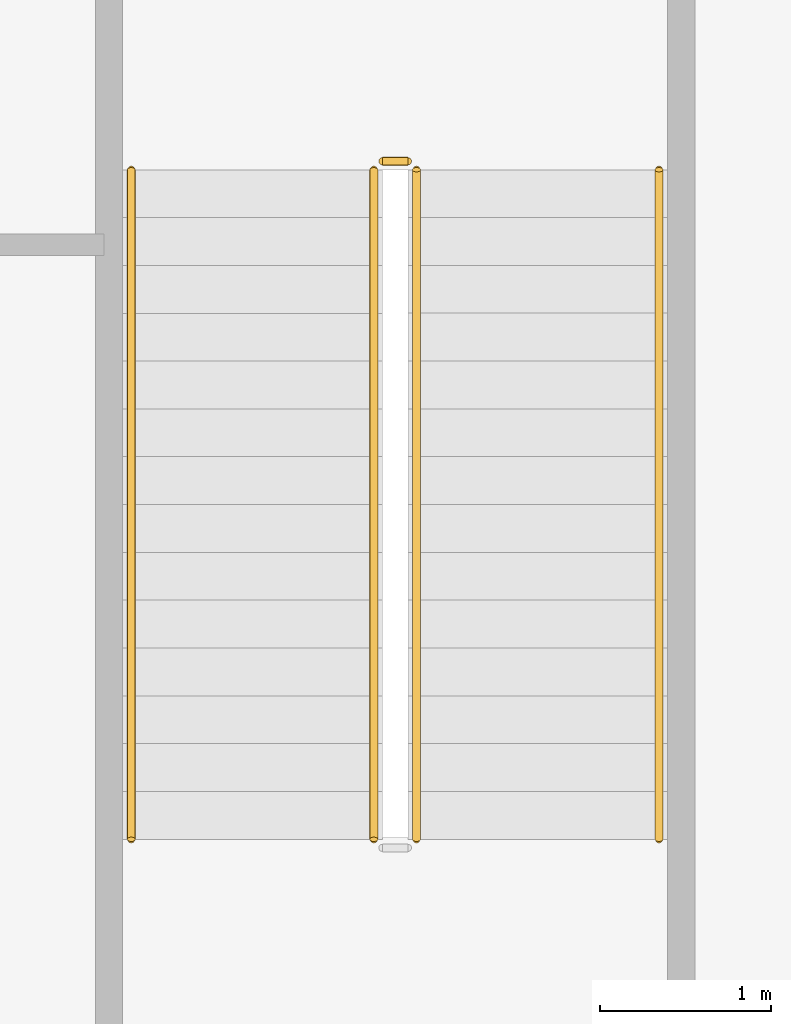
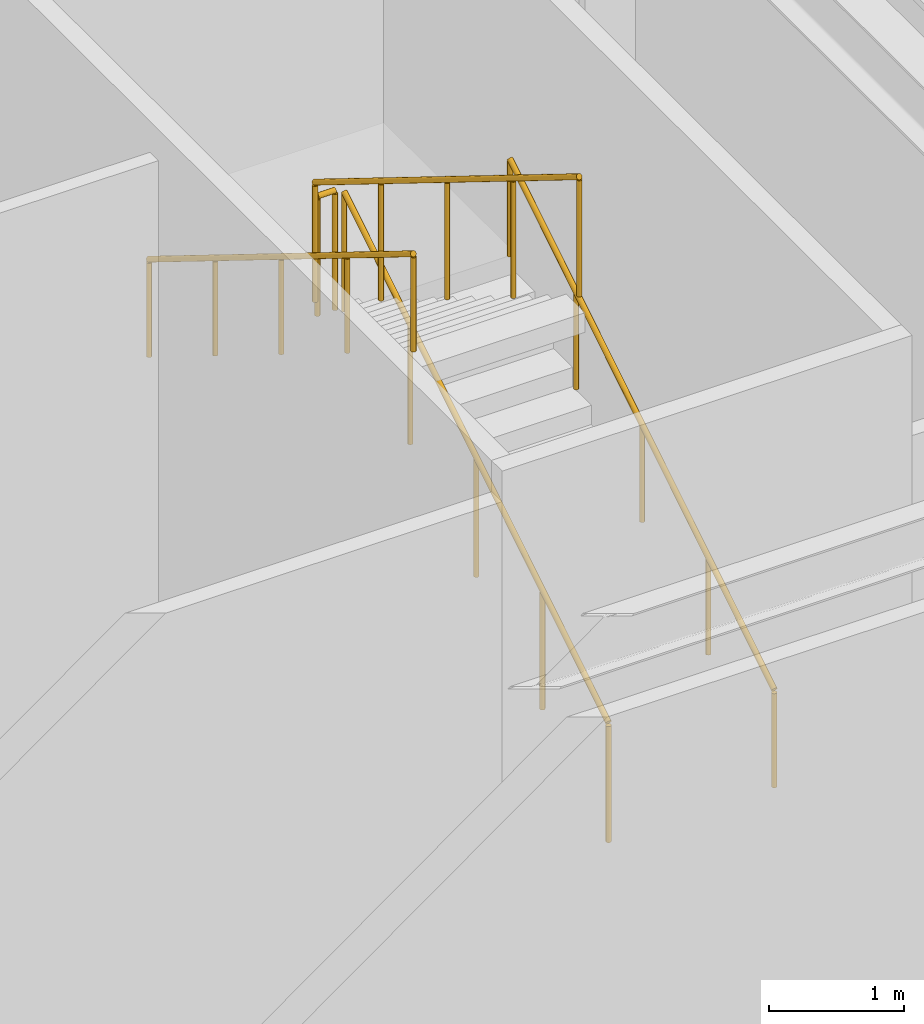
# One storey, part 49 of 49: 5 railings.
"""IFC4 building model written with IfcOpenShell, lengths in metres."""

import ifcopenshell
import ifcopenshell.guid

model = None  # the IFC model being written
_history = None  # IfcOwnerHistory: only IFC2X3 demands one
_inside = {}  # id of a spatial element -> (the spatial element, [elements in it])
_under = {}  # id of a project, library or spatial element -> (it, [spatial elements below it])
_declared = {}  # id of a project -> (the project, [libraries it declares])
_typed = {}  # id of a type object -> (the type object, [elements of that type])
_made_of = {}  # id of a material, layer set ... -> (it, [elements and type objects made of it])


def new_model(schema):
    """Start an empty IFC model of exactly this schema.

    Asked for "IFC4X3", IfcOpenShell would pick the latest addendum, in which some entities
    have other attributes; the version numbers below select the first issue.
    IFC2X3 requires an IfcOwnerHistory on every rooted entity: one is made here for all.
    """
    global model, _history
    if schema == "IFC4X3":
        model = ifcopenshell.file(schema_version=(4, 3, 0, 0))
    else:
        model = ifcopenshell.file(schema=schema)
    _inside.clear()
    _under.clear()
    _declared.clear()
    _typed.clear()
    _made_of.clear()
    _history = None
    if model.schema == "IFC2X3":
        org = make("IfcOrganization", Name="unknown")
        user = make(
            "IfcPersonAndOrganization",
            ThePerson=make("IfcPerson", FamilyName="unknown"),
            TheOrganization=org,
        )
        app = make(
            "IfcApplication",
            ApplicationDeveloper=org,
            Version="unknown",
            ApplicationFullName="unknown",
            ApplicationIdentifier="unknown",
        )
        _history = make(
            "IfcOwnerHistory",
            OwningUser=user,
            OwningApplication=app,
            ChangeAction="ADDED",
            CreationDate=0,
        )
    return model


def make(cls, **values):
    """One entity of the class cls with the attributes given. An attribute that is None is left unset."""
    return model.create_entity(
        cls, **{name: value for name, value in values.items() if value is not None}
    )


def rooted(cls, **values):
    """An entity with a GlobalId (a new one), such as an element, a storey or a relation."""
    return make(cls, GlobalId=ifcopenshell.guid.new(), OwnerHistory=_history, **values)


def si_unit(unit_type, name, prefix=None):
    """IfcSIUnit, for example si_unit("LENGTHUNIT", "METRE", prefix="MILLI")."""
    return make("IfcSIUnit", UnitType=unit_type, Prefix=prefix, Name=name)


def assignment(units):
    """IfcUnitAssignment: the units of a project."""
    return None if units is None else make("IfcUnitAssignment", Units=units)


def point(xyz):
    """IfcCartesianPoint."""
    return None if xyz is None else make("IfcCartesianPoint", Coordinates=xyz)


def direction(xyz):
    """IfcDirection."""
    return None if xyz is None else make("IfcDirection", DirectionRatios=xyz)


def frame(location, z_axis=None, x_axis=None):
    """IfcAxis2Placement3D, a coordinate frame: its origin and axes. An axis left out is left unset."""
    return make(
        "IfcAxis2Placement3D",
        Location=point(location),
        Axis=direction(z_axis),
        RefDirection=direction(x_axis),
    )


def frame_2d(location, x_axis=None):
    """IfcAxis2Placement2D, a coordinate frame in the plane: its origin and x axis."""
    return make(
        "IfcAxis2Placement2D", Location=point(location), RefDirection=direction(x_axis)
    )


def origin():
    """The frame at (0, 0, 0) with its axes left unset."""
    return frame((0.0, 0.0, 0.0))


def origin_2d():
    """The frame at (0, 0) in the plane with its x axis left unset."""
    return frame_2d((0.0, 0.0))


def place(relative_to, where):
    """IfcLocalPlacement: puts the frame where relative to a parent placement (None: the world)."""
    return make(
        "IfcLocalPlacement", PlacementRelTo=relative_to, RelativePlacement=where
    )


def context(
    kind, dimensions, precision=None, world=None, true_north=None, identifier=None
):
    """IfcGeometricRepresentationContext, for example the 3D "Model" context."""
    return make(
        "IfcGeometricRepresentationContext",
        ContextIdentifier=identifier,
        ContextType=kind,
        CoordinateSpaceDimension=dimensions,
        Precision=precision,
        WorldCoordinateSystem=world,
        TrueNorth=true_north,
    )


def subcontext(parent, identifier, kind, view, scale=None):
    """IfcGeometricRepresentationSubContext, for example "Body" below "Model"."""
    return make(
        "IfcGeometricRepresentationSubContext",
        ContextIdentifier=identifier,
        ContextType=kind,
        ParentContext=parent,
        TargetScale=scale,
        TargetView=view,
    )


def project(units=None, contexts=None):
    """IfcProject with its units and contexts."""
    return rooted(
        "IfcProject",
        Name="project",
        RepresentationContexts=contexts,
        UnitsInContext=assignment(units),
    )


def spatial(cls, under=None, at=None, **own):
    """A site, building, storey or space (cls), placed at a placement, below another one or the project."""
    s = rooted(cls, ObjectPlacement=at, **own)
    if under is not None:
        _under.setdefault(under.id(), (under, []))[1].append(s)
    return s


def profile(cls, at=None, kind="AREA", **sizes):
    """A parametric profile (cls). Its sizes go by their IFC names, for example OverallWidth=200.0."""
    return make(cls, ProfileType=kind, Position=at, **sizes)


def circle(**sizes):
    """IfcCircleProfileDef."""
    return profile("IfcCircleProfileDef", **sizes)


def extrude(swept, where, along, depth):
    """IfcExtrudedAreaSolid: the profile swept, set in the frame where, extruded along a direction by depth."""
    return make(
        "IfcExtrudedAreaSolid",
        SweptArea=swept,
        Position=where,
        ExtrudedDirection=direction(along),
        Depth=depth,
    )


def shape(context_of_items, identifier, shape_type, items):
    """IfcShapeRepresentation: the items that make up one representation, for example the "Body"."""
    return make(
        "IfcShapeRepresentation",
        ContextOfItems=context_of_items,
        RepresentationIdentifier=identifier,
        RepresentationType=shape_type,
        Items=items,
    )


def material(Name=None, Category=None):
    """IfcMaterial."""
    return make("IfcMaterial", Name=Name, Category=Category)


def made_of(thing, what):
    """Note that an element or type object is made of a material, layer set ...; save() writes the relation."""
    if what is not None:
        _made_of.setdefault(what.id(), (what, []))[1].append(thing)
    return thing


def type_object(cls, material=None, **own):
    """A type object (cls), such as IfcWallType, which elements share."""
    return made_of(rooted(cls, **own), material)


def element(
    cls,
    number,
    at=None,
    inside=None,
    cuts=None,
    type_object=None,
    material=None,
    context=None,
    identifier="Body",
    shape_type=None,
    held_by="IfcProductDefinitionShape",
    body=None,
    shapes=None,
    **own,
):
    """One element of the class cls, such as IfcWall. Its Tag is "e" and its number.

    at: its placement. inside: the storey or other place that contains it. cuts: it is an
    opening in that element (IfcRelVoidsElement). A single representation is given by context,
    identifier, shape_type and body (its items); several are given by shapes. held_by: the class
    of the entity that holds the representations. save() writes the other relations.
    """
    e = rooted(cls, Tag="e%d" % number, ObjectPlacement=at, **own)
    if body is not None:
        shapes = [shape(context, identifier, shape_type, body)]
    if shapes is not None:
        e.Representation = make(held_by, Representations=shapes)
    if inside is not None:
        _inside.setdefault(inside.id(), (inside, []))[1].append(e)
    if cuts is not None:
        rooted(
            "IfcRelVoidsElement", RelatingBuildingElement=cuts, RelatedOpeningElement=e
        )
    if type_object is not None:
        _typed.setdefault(type_object.id(), (type_object, []))[1].append(e)
    return made_of(e, material)


def aggregate(whole, parts):
    """IfcRelAggregates: a whole, such as a stair, and the parts it consists of."""
    return rooted("IfcRelAggregates", RelatingObject=whole, RelatedObjects=parts)


def save(model, path):
    """Write the relations noted so far, then the file.

    IfcRelAggregates (storeys below a building ...), IfcRelContainedInSpatialStructure (elements
    in a storey), IfcRelDefinesByType, IfcRelAssociatesMaterial and IfcRelDeclares: one each for
    every whole, place, type object, material and project.
    """
    for whole, parts in _under.values():
        aggregate(whole, parts)
    for where, things in _inside.values():
        rooted(
            "IfcRelContainedInSpatialStructure",
            RelatedElements=things,
            RelatingStructure=where,
        )
    for kind, things in _typed.values():
        rooted("IfcRelDefinesByType", RelatedObjects=things, RelatingType=kind)
    for what, things in _made_of.values():
        rooted("IfcRelAssociatesMaterial", RelatedObjects=things, RelatingMaterial=what)
    for by, libraries in _declared.values():
        rooted("IfcRelDeclares", RelatingContext=by, RelatedDefinitions=libraries)
    model.write(path)


model = new_model("IFC4")

# Units and contexts
model_context = context("Model", 3, precision=1e-05, world=origin(), true_north=direction((0.0, 1.0)))
body_context = subcontext(model_context, "Body", "Model", "MODEL_VIEW")
ifc_project = project(units=[si_unit("LENGTHUNIT", "METRE"), si_unit("AREAUNIT", "SQUARE_METRE"), si_unit("VOLUMEUNIT", "CUBIC_METRE"), si_unit("PLANEANGLEUNIT", "RADIAN"), si_unit("MASSUNIT", "GRAM", prefix="KILO")], contexts=[model_context])

# Site, building, storey
site_placement = place(None, origin())
site = spatial("IfcSite", under=ifc_project, at=site_placement, CompositionType="ELEMENT")
building_placement = place(site_placement, origin())
building = spatial("IfcBuilding", under=site, at=building_placement, Name="Kolvaren Belvedere", CompositionType="ELEMENT")
storey_placement = place(building_placement, frame((0.0, 0.0, 10.0)))
storey = spatial("IfcBuildingStorey", under=building, at=storey_placement, Name="L03", CompositionType="ELEMENT", Elevation=10.0)

# Railings
ifc_material_1 = material(Name="Brushed stainless-steel handrail", Category="steel")
railing_type_1 = type_object("IfcRailingType", Name="RL-HANDRAIL-920", PredefinedType="HANDRAIL", material=ifc_material_1)
railing_1_placement = place(storey_placement, frame((25.14990234375, 3.320068359375, 0.17333984375)))
element("IfcRailing", 1, at=railing_1_placement, inside=storey, type_object=railing_type_1, Name="L03 ST-P2 stair handrail 1", PredefinedType="HANDRAIL", context=body_context, shape_type="SweptSolid", body=[
    extrude(circle(Radius=0.02392578125, at=origin_2d()), frame((0.0, 0.0, 0.8759765625), z_axis=(0.0, 0.850251603719, 0.526376491091), x_axis=(-1.0, 0.0, 0.0)), (0.0, 0.0, 1.0), 4.6103515625),
    extrude(circle(Radius=0.02099609375, at=origin_2d()), origin(), (0.0, 0.0, 1.0), 0.851806640625),
    extrude(circle(Radius=0.02099609375, at=origin_2d()), frame((0.0, 0.97998046875, 0.606689453125)), (0.0, 0.0, 1.0), 0.851806640625),
    extrude(circle(Radius=0.02099609375, at=origin_2d()), frame((0.0, 1.9599609375, 1.21337890625)), (0.0, 0.0, 1.0), 0.851806640625),
    extrude(circle(Radius=0.02099609375, at=origin_2d()), frame((0.0, 2.93994140625, 1.820068359375)), (0.0, 0.0, 1.0), 0.851806640625),
    extrude(circle(Radius=0.02099609375, at=origin_2d()), frame((0.0, 3.919921875, 2.4267578125)), (0.0, 0.0, 1.0), 0.851806640625),
])
railing_2_placement = place(storey_placement, frame((22.06005859375, 7.239990234375, 2.7734375)))
element("IfcRailing", 2, at=railing_2_placement, inside=storey, type_object=railing_type_1, Name="L03 ST-P2 stair handrail 2", PredefinedType="HANDRAIL", context=body_context, shape_type="SweptSolid", body=[
    extrude(circle(Radius=0.02392578125, at=origin_2d()), frame((0.0, 0.0, 0.8759765625), z_axis=(0.0, -0.850275303828, 0.526338206574), x_axis=(1.0, 0.0, 0.0)), (0.0, 0.0, 1.0), 4.610107421875),
    extrude(circle(Radius=0.02099609375, at=origin_2d()), origin(), (0.0, 0.0, 1.0), 0.851806640625),
    extrude(circle(Radius=0.02099609375, at=origin_2d()), frame((0.0, -0.97998046875, 0.606689453125)), (0.0, 0.0, 1.0), 0.851806640625),
    extrude(circle(Radius=0.02099609375, at=origin_2d()), frame((0.0, -1.9599609375, 1.21337890625)), (0.0, 0.0, 1.0), 0.851806640625),
    extrude(circle(Radius=0.02099609375, at=origin_2d()), frame((0.0, -2.93994140625, 1.81982421875)), (0.0, 0.0, 1.0), 0.851806640625),
    extrude(circle(Radius=0.02099609375, at=origin_2d()), frame((0.0, -3.919921875, 2.426513671875)), (0.0, 0.0, 1.0), 0.851806640625),
])
ifc_material_2 = material(Name="Painted tubular steel stair guard", Category="steel")
railing_type_2 = type_object("IfcRailingType", Name="RL-STGUARD-1100", PredefinedType="GUARDRAIL", material=ifc_material_2)
railing_3_placement = place(storey_placement, frame((23.72998046875, 3.320068359375, 0.17333984375)))
element("IfcRailing", 3, at=railing_3_placement, inside=storey, type_object=railing_type_2, Name="L03 ST-P2 stair guard 1", PredefinedType="GUARDRAIL", context=body_context, shape_type="SweptSolid", body=[
    extrude(circle(Radius=0.02392578125, at=origin_2d()), frame((0.0, 0.0, 1.076171875), z_axis=(0.0, 0.850251603719, 0.526376491091), x_axis=(-1.0, 0.0, 0.0)), (0.0, 0.0, 1.0), 4.6103515625),
    extrude(circle(Radius=0.02099609375, at=origin_2d()), origin(), (0.0, 0.0, 1.0), 1.052001953125),
    extrude(circle(Radius=0.02099609375, at=origin_2d()), frame((0.0, 0.97998046875, 0.606689453125)), (0.0, 0.0, 1.0), 1.052001953125),
    extrude(circle(Radius=0.02099609375, at=origin_2d()), frame((0.0, 1.9599609375, 1.21337890625)), (0.0, 0.0, 1.0), 1.052001953125),
    extrude(circle(Radius=0.02099609375, at=origin_2d()), frame((0.0, 2.93994140625, 1.820068359375)), (0.0, 0.0, 1.0), 1.052001953125),
    extrude(circle(Radius=0.02099609375, at=origin_2d()), frame((0.0, 3.919921875, 2.4267578125)), (0.0, 0.0, 1.0), 1.052001953125),
])
railing_4_placement = place(storey_placement, frame((23.679931640625, 7.2900390625, 2.60009765625)))
element("IfcRailing", 4, at=railing_4_placement, inside=storey, type_object=railing_type_2, Name="L03 ST-P2 stair guard 2", PredefinedType="GUARDRAIL", context=body_context, shape_type="SweptSolid", body=[
    extrude(circle(Radius=0.02392578125, at=origin_2d()), frame((0.0, 0.0, 1.076171875), z_axis=(-1.0, 0.0, 0.0), x_axis=(0.0, -1.0, 0.0)), (0.0, 0.0, 1.0), 0.14990234375),
    extrude(circle(Radius=0.02099609375, at=origin_2d()), origin(), (0.0, 0.0, 1.0), 1.052001953125),
    extrude(circle(Radius=0.02099609375, at=origin_2d()), frame((-0.14990234375, 0.0, 0.0)), (0.0, 0.0, 1.0), 1.052001953125),
])
railing_5_placement = place(storey_placement, frame((23.47998046875, 7.239990234375, 2.7734375)))
element("IfcRailing", 5, at=railing_5_placement, inside=storey, type_object=railing_type_2, Name="L03 ST-P2 stair guard 3", PredefinedType="GUARDRAIL", context=body_context, shape_type="SweptSolid", body=[
    extrude(circle(Radius=0.02392578125, at=origin_2d()), frame((0.0, 0.0, 1.076171875), z_axis=(0.0, -0.850275303828, 0.526338206574), x_axis=(1.0, 0.0, 0.0)), (0.0, 0.0, 1.0), 4.610107421875),
    extrude(circle(Radius=0.02099609375, at=origin_2d()), origin(), (0.0, 0.0, 1.0), 1.052001953125),
    extrude(circle(Radius=0.02099609375, at=origin_2d()), frame((0.0, -0.97998046875, 0.606689453125)), (0.0, 0.0, 1.0), 1.052001953125),
    extrude(circle(Radius=0.02099609375, at=origin_2d()), frame((0.0, -1.9599609375, 1.21337890625)), (0.0, 0.0, 1.0), 1.052001953125),
    extrude(circle(Radius=0.02099609375, at=origin_2d()), frame((0.0, -2.93994140625, 1.81982421875)), (0.0, 0.0, 1.0), 1.052001953125),
    extrude(circle(Radius=0.02099609375, at=origin_2d()), frame((0.0, -3.919921875, 2.426513671875)), (0.0, 0.0, 1.0), 1.052001953125),
])

save(model, "model.ifc")
